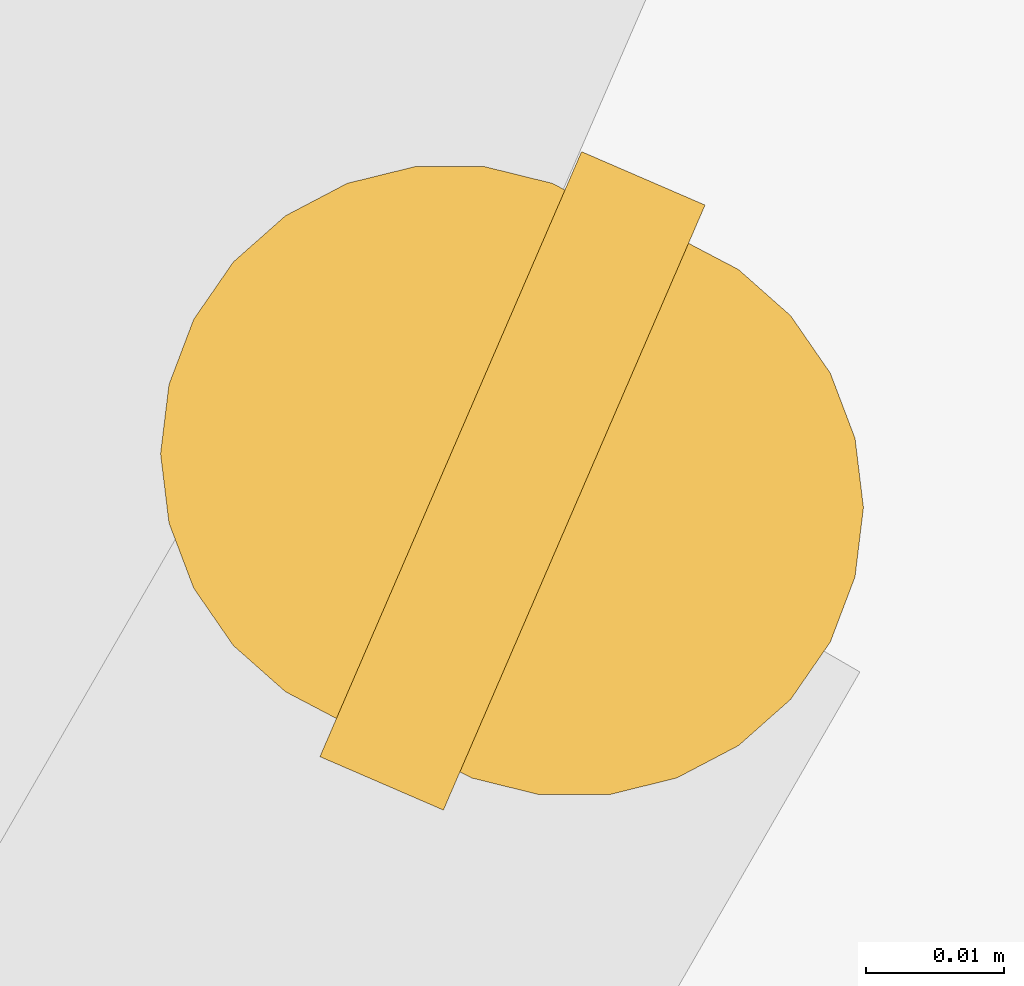
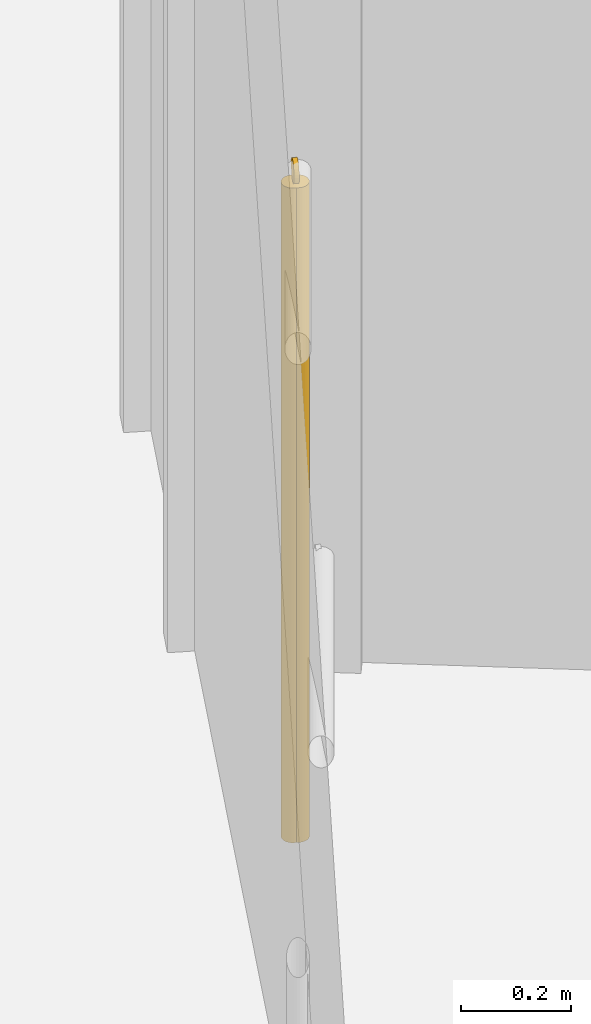
# One storey, part 27 of 32: 1 railing.
"""IFC4 building model written with IfcOpenShell, lengths in metres."""

from ifc_helpers import new_model, si_unit, direction, frame, origin, origin_2d, place, context, subcontext, project, spatial, circle, extrude, material, type_object, element, save


model = new_model("IFC4")

# Units and contexts
model_context = context("Model", 3, precision=1e-05, world=origin(), true_north=direction((0.0, 1.0)))
body_context = subcontext(model_context, "Body", "Model", "MODEL_VIEW")
ifc_project = project(units=[si_unit("LENGTHUNIT", "METRE"), si_unit("AREAUNIT", "SQUARE_METRE"), si_unit("VOLUMEUNIT", "CUBIC_METRE"), si_unit("PLANEANGLEUNIT", "RADIAN"), si_unit("MASSUNIT", "GRAM", prefix="KILO")], contexts=[model_context])

# Site, building, storey
site_placement = place(None, origin())
site = spatial("IfcSite", under=ifc_project, at=site_placement, CompositionType="ELEMENT")
building_placement = place(site_placement, origin())
building = spatial("IfcBuilding", under=site, at=building_placement, Name="Spindle Arch Residences", CompositionType="ELEMENT")
storey_placement = place(building_placement, frame((0.0, 0.0, 76.699951171875)))
storey = spatial("IfcBuildingStorey", under=building, at=storey_placement, Name="L17", CompositionType="ELEMENT", Elevation=76.699951171875)

# Railing
ifc_material = material(Name="Bronze anodised aluminium guard with glass infill", Category="aluminium")
railing_type = type_object("IfcRailingType", Name="Terrace guard 1500", PredefinedType="GUARDRAIL", material=ifc_material)
railing_placement = place(storey_placement, frame((-10.40869140625, 24.33154296875, 0.030029296875)))
element("IfcRailing", 1, at=railing_placement, inside=storey, type_object=railing_type, Name="Terrace guard L16 5", PredefinedType="GUARDRAIL", context=body_context, shape_type="SweptSolid", body=[
    extrude(circle(Radius=0.02392578125, at=origin_2d()), frame((0.0, 0.0, 1.47607421875), z_axis=(-0.91785703596, 0.396911150685, 0.0), x_axis=(-0.396911150685, -0.91785703596, 0.0)), (0.0, 0.0, 1.0), 0.009765625),
    extrude(circle(Radius=0.02099609375, at=origin_2d()), origin(), (0.0, 0.0, 1.0), 1.451904296875),
    extrude(circle(Radius=0.02099609375, at=origin_2d()), frame((-0.009033203125, 0.00390625, 0.0)), (0.0, 0.0, 1.0), 1.451904296875),
])

save(model, "model.ifc")
